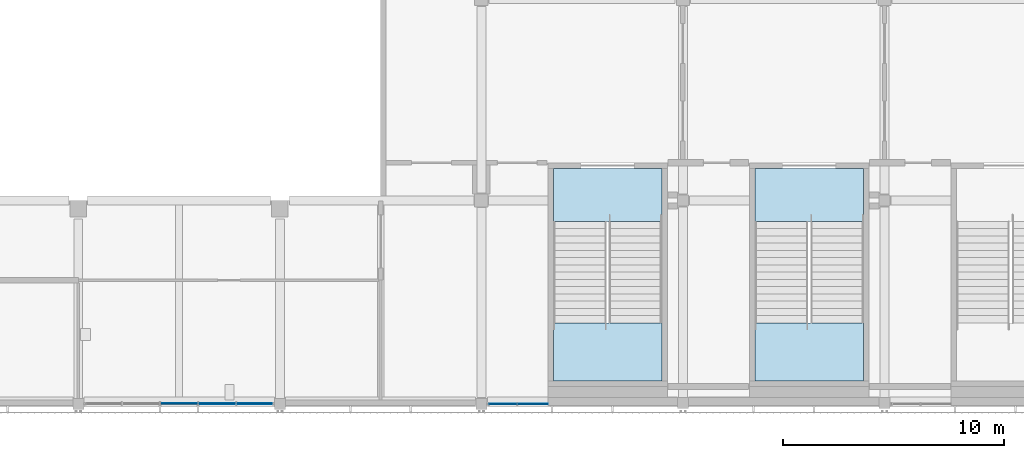
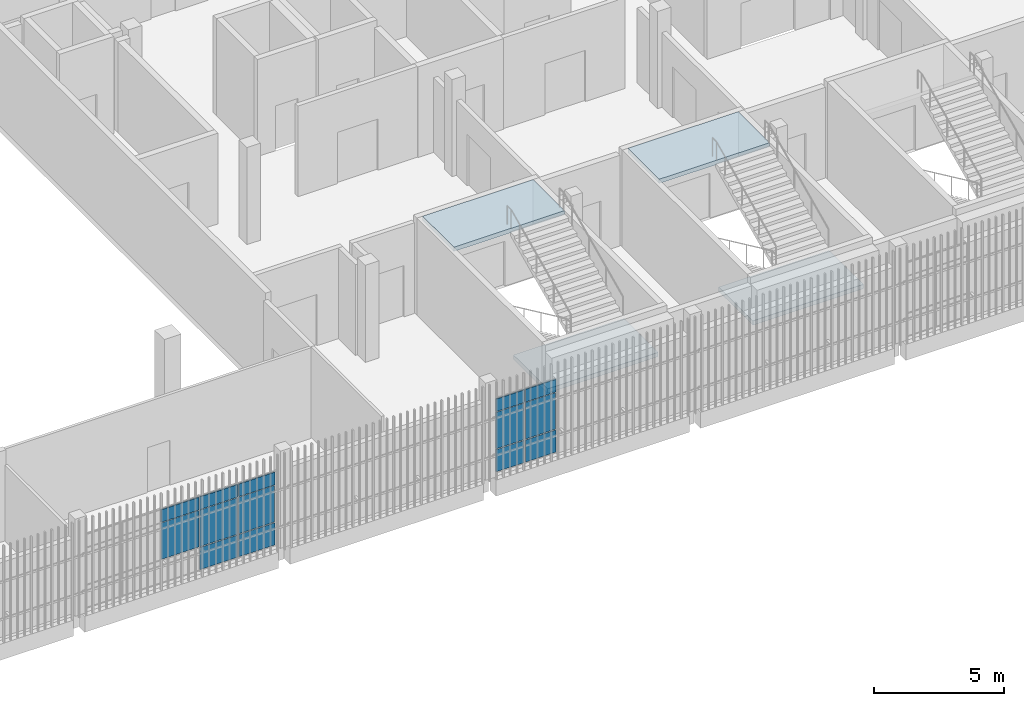
# One storey, part 59 of 124: 14 plates, 4 slabs, 4 elements without a shape of their own.
"""IFC4 building model written with IfcOpenShell, lengths in metres."""

from ifc_helpers import new_model, si_unit, direction, frame, origin, origin_2d, place, context, subcontext, project, spatial, polyline, rectangle, outline, extrude, material, layer, layer_set, type_object, element, aggregate, save


model = new_model("IFC4")

# Units and contexts
model_context = context("Model", 3, precision=1e-05, world=origin(), true_north=direction((0.0, 1.0)))
body_context = subcontext(model_context, "Body", "Model", "MODEL_VIEW")
ifc_project = project(units=[si_unit("LENGTHUNIT", "METRE"), si_unit("AREAUNIT", "SQUARE_METRE"), si_unit("VOLUMEUNIT", "CUBIC_METRE"), si_unit("PLANEANGLEUNIT", "RADIAN"), si_unit("MASSUNIT", "GRAM", prefix="KILO")], contexts=[model_context])

# Site, building, storey
site_placement = place(None, origin())
site = spatial("IfcSite", under=ifc_project, at=site_placement, CompositionType="ELEMENT")
building_placement = place(site_placement, origin())
building = spatial("IfcBuilding", under=site, at=building_placement, Name="Shirokan Park Arena", CompositionType="ELEMENT")
storey_placement = place(building_placement, frame((0.0, 0.0, 20.02001953125)))
storey = spatial("IfcBuildingStorey", under=building, at=storey_placement, Name="L04", CompositionType="ELEMENT", Elevation=20.02001953125)

# Curtain wall, plates
ifc_material_1 = material(Name="Steel and glass curtain wall", Category="steel")
ifc_layer_1 = layer(ifc_material_1, 0.14990234375)
ifc_layer_set_1 = layer_set([ifc_layer_1], Name="Steel and glass curtain wall 150 mm")
curtain_wall_type_1 = type_object("IfcCurtainWallType", Name="Curtain wall exposed bay 150", PredefinedType="NOTDEFINED", material=ifc_layer_set_1)
curtain_wall_1_placement = place(storey_placement, origin())
curtain_wall_1 = element("IfcCurtainWall", 1, at=curtain_wall_1_placement, inside=storey, type_object=curtain_wall_type_1, Name="Curtain wall south bay 11 L04", PredefinedType="NOTDEFINED")
ifc_material_2 = material(Name="Aluminium sheet", Category="aluminium")
ifc_layer_2 = layer(ifc_material_2, 0.0029296875, Name="Aluminium sheet")
ifc_material_3 = material(Name="Mineral wool insulation")
ifc_layer_3 = layer(ifc_material_3, 0.053955078125, Name="Mineral wool insulation")
ifc_layer_4 = layer(ifc_material_2, 0.0029296875, Name="Aluminium sheet")
ifc_layer_set_2 = layer_set([ifc_layer_2, ifc_layer_3, ifc_layer_4], Name="Aluminium sheet + Mineral wool insulation")
plate_type_1 = type_object("IfcPlateType", Name="Insulated spandrel panel 60", PredefinedType="CURTAIN_PANEL", material=ifc_layer_set_2)
plate_1_placement = place(storey_placement, frame((95.550048828125, -0.074951171875, 2.8701171875), z_axis=(0.0, 0.0, 1.0), x_axis=(1.0, 0.0, 0.0)))
plate_1 = element("IfcPlate", 2, at=plate_1_placement, type_object=plate_type_1, Name="CW1 panel 3.3", PredefinedType="CURTAIN_PANEL", context=body_context, shape_type="SweptSolid", body=[
    extrude(rectangle(XDim=1.669921875, YDim=0.06005859375, at=origin_2d()), origin(), (0.0, 0.0, 1.0), 0.590087890625),
])
plate_2_placement = place(storey_placement, frame((97.27001953125, -0.074951171875, 2.8701171875), z_axis=(0.0, 0.0, 1.0), x_axis=(1.0, 0.0, 0.0)))
plate_2 = element("IfcPlate", 3, at=plate_2_placement, type_object=plate_type_1, Name="CW1 panel 4.3", PredefinedType="CURTAIN_PANEL", context=body_context, shape_type="SweptSolid", body=[
    extrude(rectangle(XDim=1.669921875, YDim=0.06005859375, at=origin_2d()), origin(), (0.0, 0.0, 1.0), 0.590087890625),
])
plate_3_placement = place(storey_placement, frame((98.952392578125, -0.074951171875, 2.8701171875), z_axis=(0.0, 0.0, 1.0), x_axis=(1.0, 0.0, 0.0)))
plate_3 = element("IfcPlate", 4, at=plate_3_placement, type_object=plate_type_1, Name="CW1 panel 5.3", PredefinedType="CURTAIN_PANEL", context=body_context, shape_type="SweptSolid", body=[
    extrude(rectangle(XDim=1.594970703125, YDim=0.06005859375, at=origin_2d()), origin(), (0.0, 0.0, 1.0), 0.590087890625),
])

ifc_layer_5 = layer(ifc_material_1, 0.1201171875)
ifc_layer_set_3 = layer_set([ifc_layer_5], Name="Steel and glass curtain wall 120 mm")
curtain_wall_type_2 = type_object("IfcCurtainWallType", Name="Curtain wall corner block side bay 120", PredefinedType="NOTDEFINED", material=ifc_layer_set_3)
curtain_wall_2_placement = place(storey_placement, origin())
curtain_wall_2 = element("IfcCurtainWall", 5, at=curtain_wall_2_placement, inside=storey, type_object=curtain_wall_type_2, Name="Curtain wall south bay 13 L04", PredefinedType="NOTDEFINED")
plate_4_placement = place(storey_placement, frame((110.175048828125, -0.090087890625, 2.8701171875), z_axis=(0.0, 0.0, 1.0), x_axis=(1.0, 0.0, 0.0)))
plate_4 = element("IfcPlate", 6, at=plate_4_placement, type_object=plate_type_1, Name="CW3 panel 1.3", PredefinedType="CURTAIN_PANEL", context=body_context, shape_type="SweptSolid", body=[
    extrude(rectangle(XDim=1.25, YDim=0.06005859375, at=origin_2d()), origin(), (0.0, 0.0, 1.0), 0.590087890625),
])
plate_5_placement = place(storey_placement, frame((111.52490234375, -0.090087890625, 2.8701171875), z_axis=(0.0, 0.0, 1.0), x_axis=(1.0, 0.0, 0.0)))
plate_5 = element("IfcPlate", 7, at=plate_5_placement, type_object=plate_type_1, Name="CW3 panel 2.3", PredefinedType="CURTAIN_PANEL", context=body_context, shape_type="SweptSolid", body=[
    extrude(rectangle(XDim=1.35009765625, YDim=0.06005859375, at=origin_2d()), origin(), (0.0, 0.0, 1.0), 0.590087890625),
])

# Plate
ifc_material_4 = material(Name="Toughened glass", Category="glass")
ifc_layer_6 = layer(ifc_material_4, 0.012939453125, Name="Toughened glass")
ifc_material_5 = material(Name="Interlayer film")
ifc_layer_7 = layer(ifc_material_5, 0.001953125, Name="Interlayer film")
ifc_layer_8 = layer(ifc_material_4, 0.012939453125, Name="Toughened glass")
ifc_layer_set_4 = layer_set([ifc_layer_6, ifc_layer_7, ifc_layer_8], Name="Toughened glass + Interlayer film")
plate_type_2 = type_object("IfcPlateType", Name="Laminated glass panel 28", PredefinedType="CURTAIN_PANEL", material=ifc_layer_set_4)
plate_6_placement = place(storey_placement, frame((95.550048828125, -0.074951171875, 1.1201171875), z_axis=(0.0, 0.0, 1.0), x_axis=(1.0, 0.0, 0.0)))
plate_6 = element("IfcPlate", 8, at=plate_6_placement, type_object=plate_type_2, Name="CW1 panel 3.2", PredefinedType="CURTAIN_PANEL", context=body_context, shape_type="SweptSolid", body=[
    extrude(rectangle(XDim=1.669921875, YDim=0.028076171875, at=origin_2d()), origin(), (0.0, 0.0, 1.0), 1.7099609375),
])

plate_7_placement = place(storey_placement, frame((97.27001953125, -0.074951171875, 1.1201171875), z_axis=(0.0, 0.0, 1.0), x_axis=(1.0, 0.0, 0.0)))
plate_7 = element("IfcPlate", 9, at=plate_7_placement, type_object=plate_type_2, Name="CW1 panel 4.2", PredefinedType="CURTAIN_PANEL", context=body_context, shape_type="SweptSolid", body=[
    extrude(rectangle(XDim=1.669921875, YDim=0.028076171875, at=origin_2d()), origin(), (0.0, 0.0, 1.0), 1.7099609375),
])

plate_8_placement = place(storey_placement, frame((98.952392578125, -0.074951171875, 1.1201171875), z_axis=(0.0, 0.0, 1.0), x_axis=(1.0, 0.0, 0.0)))
plate_8 = element("IfcPlate", 10, at=plate_8_placement, type_object=plate_type_2, Name="CW1 panel 5.2", PredefinedType="CURTAIN_PANEL", context=body_context, shape_type="SweptSolid", body=[
    extrude(rectangle(XDim=1.594970703125, YDim=0.028076171875, at=origin_2d()), origin(), (0.0, 0.0, 1.0), 1.7099609375),
])

plate_9_placement = place(storey_placement, frame((110.175048828125, -0.090087890625, 1.1201171875), z_axis=(0.0, 0.0, 1.0), x_axis=(1.0, 0.0, 0.0)))
plate_9 = element("IfcPlate", 11, at=plate_9_placement, type_object=plate_type_2, Name="CW3 panel 1.2", PredefinedType="CURTAIN_PANEL", context=body_context, shape_type="SweptSolid", body=[
    extrude(rectangle(XDim=1.25, YDim=0.028076171875, at=origin_2d()), origin(), (0.0, 0.0, 1.0), 1.7099609375),
])

plate_10_placement = place(storey_placement, frame((111.52490234375, -0.090087890625, 1.1201171875), z_axis=(0.0, 0.0, 1.0), x_axis=(1.0, 0.0, 0.0)))
plate_10 = element("IfcPlate", 12, at=plate_10_placement, type_object=plate_type_2, Name="CW3 panel 2.2", PredefinedType="CURTAIN_PANEL", context=body_context, shape_type="SweptSolid", body=[
    extrude(rectangle(XDim=1.35009765625, YDim=0.028076171875, at=origin_2d()), origin(), (0.0, 0.0, 1.0), 1.7099609375),
])

ifc_layer_9 = layer(ifc_material_4, 0.01708984375, Name="Toughened glass")
ifc_layer_10 = layer(ifc_material_5, 0.001953125, Name="Interlayer film")
ifc_layer_11 = layer(ifc_material_4, 0.01708984375, Name="Toughened glass")
ifc_layer_set_5 = layer_set([ifc_layer_9, ifc_layer_10, ifc_layer_11], Name="Toughened glass + Interlayer film")
plate_type_3 = type_object("IfcPlateType", Name="Laminated safety glass panel 36", PredefinedType="CURTAIN_PANEL", material=ifc_layer_set_5)
plate_11_placement = place(storey_placement, frame((97.27001953125, -0.074951171875, 0.0400390625), z_axis=(0.0, 0.0, 1.0), x_axis=(1.0, 0.0, 0.0)))
plate_11 = element("IfcPlate", 13, at=plate_11_placement, type_object=plate_type_3, Name="CW1 panel 4.1", PredefinedType="CURTAIN_PANEL", context=body_context, shape_type="SweptSolid", body=[
    extrude(rectangle(XDim=1.669921875, YDim=0.035888671875, at=origin_2d()), origin(), (0.0, 0.0, 1.0), 1.0400390625),
])

plate_12_placement = place(storey_placement, frame((98.952392578125, -0.074951171875, 0.0400390625), z_axis=(0.0, 0.0, 1.0), x_axis=(1.0, 0.0, 0.0)))
plate_12 = element("IfcPlate", 14, at=plate_12_placement, type_object=plate_type_3, Name="CW1 panel 5.1", PredefinedType="CURTAIN_PANEL", context=body_context, shape_type="SweptSolid", body=[
    extrude(rectangle(XDim=1.594970703125, YDim=0.035888671875, at=origin_2d()), origin(), (0.0, 0.0, 1.0), 1.0400390625),
])

aggregate(curtain_wall_1, [plate_6, plate_1, plate_11, plate_7, plate_2, plate_12, plate_8, plate_3])

plate_13_placement = place(storey_placement, frame((110.175048828125, -0.090087890625, 0.0400390625), z_axis=(0.0, 0.0, 1.0), x_axis=(1.0, 0.0, 0.0)))
plate_13 = element("IfcPlate", 15, at=plate_13_placement, type_object=plate_type_3, Name="CW3 panel 1.1", PredefinedType="CURTAIN_PANEL", context=body_context, shape_type="SweptSolid", body=[
    extrude(rectangle(XDim=1.25, YDim=0.035888671875, at=origin_2d()), origin(), (0.0, 0.0, 1.0), 1.0400390625),
])

plate_14_placement = place(storey_placement, frame((111.52490234375, -0.090087890625, 0.0400390625), z_axis=(0.0, 0.0, 1.0), x_axis=(1.0, 0.0, 0.0)))
plate_14 = element("IfcPlate", 16, at=plate_14_placement, type_object=plate_type_3, Name="CW3 panel 2.1", PredefinedType="CURTAIN_PANEL", context=body_context, shape_type="SweptSolid", body=[
    extrude(rectangle(XDim=1.35009765625, YDim=0.035888671875, at=origin_2d()), origin(), (0.0, 0.0, 1.0), 1.0400390625),
])

aggregate(curtain_wall_2, [plate_13, plate_9, plate_4, plate_14, plate_10, plate_5])

# Stair, slabs
ifc_material_6 = material(Name="Concrete C30 precast", Category="concrete")
stair_type = type_object("IfcStairType", Name="Stair 30 risers 152 x 327 2400 wide", PredefinedType="TWO_STRAIGHT_RUN_STAIR", material=ifc_material_6)
stair_1_placement = place(storey_placement, origin())
stair_1 = element("IfcStair", 17, at=stair_1_placement, inside=storey, type_object=stair_type, Name="Exit Stair 2.C L04 to L05", PredefinedType="TWO_STRAIGHT_RUN_STAIR")
ifc_layer_12 = layer(ifc_material_6, 0.199951171875)
ifc_layer_set_6 = layer_set([ifc_layer_12], Name="Concrete C30 precast 200 mm")
slab_type = type_object("IfcSlabType", Name="Stair landing 200", PredefinedType="LANDING", material=ifc_layer_set_6)
slab_1_placement = place(storey_placement, frame((0.0, 0.0, 2.074951171875)))
slab_1 = element("IfcSlab", 18, at=slab_1_placement, type_object=slab_type, Name="ST06.5 landing 1", PredefinedType="LANDING", context=body_context, shape_type="SweptSolid", body=[
    extrude(outline(polyline([(121.550048828125, 0.949951171875), (126.449951171875, 0.949951171875), (126.449951171875, 3.576171875), (121.550048828125, 3.576171875), (121.550048828125, 0.949951171875)])), origin(), (0.0, 0.0, 1.0), 0.199951171875),
])
slab_2_placement = place(storey_placement, frame((0.0, 0.0, 4.35009765625)))
slab_2 = element("IfcSlab", 19, at=slab_2_placement, type_object=slab_type, Name="ST06.5 landing 2", PredefinedType="LANDING", context=body_context, shape_type="SweptSolid", body=[
    extrude(outline(polyline([(121.550048828125, 8.14990234375), (126.449951171875, 8.14990234375), (126.449951171875, 10.550048828125), (121.550048828125, 10.550048828125), (121.550048828125, 8.14990234375)])), origin(), (0.0, 0.0, 1.0), 0.199951171875),
])
aggregate(stair_1, [slab_1, slab_2])

stair_2_placement = place(storey_placement, origin())
stair_2 = element("IfcStair", 20, at=stair_2_placement, inside=storey, type_object=stair_type, Name="Exit Stair 2.D L04 to L05", PredefinedType="TWO_STRAIGHT_RUN_STAIR")
slab_3_placement = place(storey_placement, frame((0.0, 0.0, 2.074951171875)))
slab_3 = element("IfcSlab", 21, at=slab_3_placement, type_object=slab_type, Name="ST07.5 landing 1", PredefinedType="LANDING", context=body_context, shape_type="SweptSolid", body=[
    extrude(outline(polyline([(112.449951171875, 0.949951171875), (117.35009765625, 0.949951171875), (117.35009765625, 3.576171875), (112.449951171875, 3.576171875), (112.449951171875, 0.949951171875)])), origin(), (0.0, 0.0, 1.0), 0.199951171875),
])
slab_4_placement = place(storey_placement, frame((0.0, 0.0, 4.35009765625)))
slab_4 = element("IfcSlab", 22, at=slab_4_placement, type_object=slab_type, Name="ST07.5 landing 2", PredefinedType="LANDING", context=body_context, shape_type="SweptSolid", body=[
    extrude(outline(polyline([(112.449951171875, 8.14990234375), (117.35009765625, 8.14990234375), (117.35009765625, 10.550048828125), (112.449951171875, 10.550048828125), (112.449951171875, 8.14990234375)])), origin(), (0.0, 0.0, 1.0), 0.199951171875),
])
aggregate(stair_2, [slab_3, slab_4])

save(model, "model.ifc")
